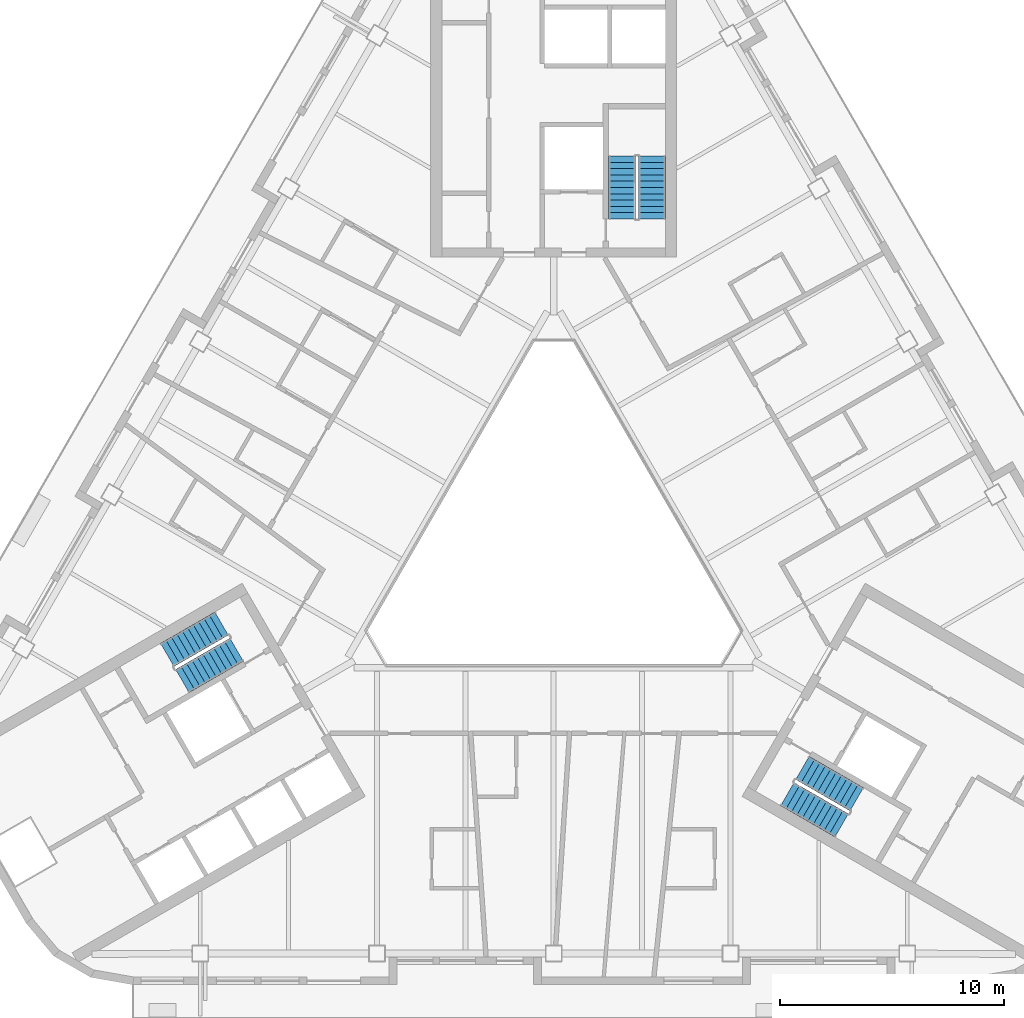
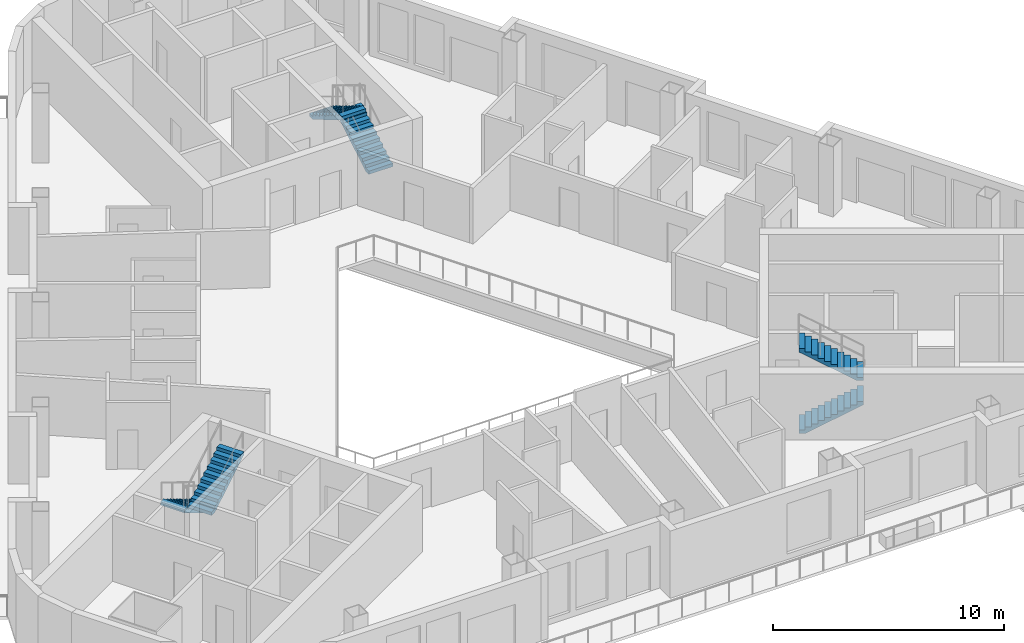
# One storey, part 8 of 14: 6 stair flights, 3 elements without a shape of their own.
"""IFC4 building model written with IfcOpenShell, lengths in metres."""

from ifc_helpers import new_model, si_unit, direction, frame, origin, place, context, subcontext, project, spatial, polyline, outline, extrude, material, type_object, element, aggregate, save


model = new_model("IFC4")

# Units and contexts
model_context = context("Model", 3, precision=1e-05, world=origin(), true_north=direction((0.0, 1.0)))
body_context = subcontext(model_context, "Body", "Model", "MODEL_VIEW")
ifc_project = project(units=[si_unit("LENGTHUNIT", "METRE"), si_unit("AREAUNIT", "SQUARE_METRE"), si_unit("VOLUMEUNIT", "CUBIC_METRE"), si_unit("PLANEANGLEUNIT", "RADIAN"), si_unit("MASSUNIT", "GRAM", prefix="KILO")], contexts=[model_context])

# Site, building, storey
site_placement = place(None, origin())
site = spatial("IfcSite", under=ifc_project, at=site_placement, CompositionType="ELEMENT")
building_placement = place(site_placement, origin())
building = spatial("IfcBuilding", under=site, at=building_placement, Name="Apuvela Tower Hotel", CompositionType="ELEMENT")
storey_placement = place(building_placement, frame((0.0, 0.0, 205.800048828125)))
storey = spatial("IfcBuildingStorey", under=building, at=storey_placement, Name="L50", CompositionType="ELEMENT", Elevation=205.800048828125)

# Stair, stair flights
ifc_material = material(Name="Concrete C50/60", Category="concrete")
stair_type = type_object("IfcStairType", Name="COR-STAIR-22R", PredefinedType="HALF_TURN_STAIR", material=ifc_material)
stair_1_placement = place(storey_placement, origin())
stair_1 = element("IfcStair", 1, at=stair_1_placement, inside=storey, type_object=stair_type, Name="L50 Exit stair ST1", PredefinedType="HALF_TURN_STAIR")
stair_flight_type = type_object("IfcStairFlightType", Name="COR-FLIGHT-11R", PredefinedType="STRAIGHT", material=ifc_material)
stair_flight_1_placement = place(storey_placement, frame((4.39990234375, 14.60009765625, 0.0), z_axis=(0.0, 0.0, 1.0), x_axis=(0.0, 1.0, 0.0)))
stair_flight_1 = element("IfcStairFlight", 2, at=stair_flight_1_placement, type_object=stair_flight_type, Name="ST1 flight 1", NumberOfRisers=11, NumberOfTreads=10, PredefinedType="STRAIGHT", RiserHeight=0.168181818, TreadLength=0.28, context=body_context, shape_type="SweptSolid", body=[
    extrude(outline(polyline([(0.0, 0.0), (0.0, 0.168212890625), (0.280029296875, 0.168212890625), (0.280029296875, 0.33642578125), (0.56005859375, 0.33642578125), (0.56005859375, 0.504638671875), (0.840087890625, 0.504638671875), (0.840087890625, 0.672607421875), (1.1201171875, 0.672607421875), (1.1201171875, 0.8408203125), (1.39990234375, 0.8408203125), (1.39990234375, 1.009033203125), (1.679931640625, 1.009033203125), (1.679931640625, 1.17724609375), (1.9599609375, 1.17724609375), (1.9599609375, 1.345458984375), (2.239990234375, 1.345458984375), (2.239990234375, 1.513671875), (2.52001953125, 1.513671875), (2.52001953125, 1.681884765625), (2.800048828125, 1.681884765625), (2.800048828125, 1.85009765625), (2.800048828125, 1.5068359375), (0.291015625, 0.0), (0.0, 0.0)])), frame((0.0, 0.60009765625, 0.0), z_axis=(0.0, -1.0, 0.0), x_axis=(1.0, 0.0, 0.0)), (0.0, 0.0, 1.0), 1.199951171875),
])
stair_flight_2_placement = place(storey_placement, frame((3.050048828125, 17.39990234375, 1.849853515625), z_axis=(0.0, 0.0, 1.0), x_axis=(0.0, -1.0, 0.0)))
stair_flight_2 = element("IfcStairFlight", 3, at=stair_flight_2_placement, type_object=stair_flight_type, Name="ST1 flight 2", NumberOfRisers=11, NumberOfTreads=10, PredefinedType="STRAIGHT", RiserHeight=0.168181818, TreadLength=0.28, context=body_context, shape_type="SweptSolid", body=[
    extrude(outline(polyline([(0.0, 0.0), (0.0, 0.168212890625), (0.280029296875, 0.168212890625), (0.280029296875, 0.33642578125), (0.56005859375, 0.33642578125), (0.56005859375, 0.504638671875), (0.840087890625, 0.504638671875), (0.840087890625, 0.672607421875), (1.1201171875, 0.672607421875), (1.1201171875, 0.8408203125), (1.39990234375, 0.8408203125), (1.39990234375, 1.009033203125), (1.679931640625, 1.009033203125), (1.679931640625, 1.17724609375), (1.9599609375, 1.17724609375), (1.9599609375, 1.345458984375), (2.239990234375, 1.345458984375), (2.239990234375, 1.513671875), (2.52001953125, 1.513671875), (2.52001953125, 1.681884765625), (2.800048828125, 1.681884765625), (2.800048828125, 1.85009765625), (2.800048828125, 1.5068359375), (0.291015625, 0.0), (0.0, 0.0)])), frame((0.0, 0.60009765625, 0.0), z_axis=(0.0, -1.0, 0.0), x_axis=(1.0, 0.0, 0.0)), (0.0, 0.0, 1.0), 1.199951171875),
])
aggregate(stair_1, [stair_flight_1, stair_flight_2])

stair_2_placement = place(storey_placement, origin())
stair_2 = element("IfcStair", 4, at=stair_2_placement, inside=storey, type_object=stair_type, Name="L50 Exit stair ST2", PredefinedType="HALF_TURN_STAIR")
stair_flight_3_placement = place(storey_placement, frame((-14.843994140625, -3.489501953125, 0.0), z_axis=(0.0, 0.0, 1.0), x_axis=(-0.866025403784, -0.5, 0.0)))
stair_flight_3 = element("IfcStairFlight", 5, at=stair_flight_3_placement, type_object=stair_flight_type, Name="ST2 flight 1", NumberOfRisers=11, NumberOfTreads=10, PredefinedType="STRAIGHT", RiserHeight=0.168181818, TreadLength=0.28, context=body_context, shape_type="SweptSolid", body=[
    extrude(outline(polyline([(0.0, 0.0), (0.0, 0.168212890625), (0.280029296875, 0.168212890625), (0.280029296875, 0.33642578125), (0.56005859375, 0.33642578125), (0.56005859375, 0.504638671875), (0.840087890625, 0.504638671875), (0.840087890625, 0.672607421875), (1.1201171875, 0.672607421875), (1.1201171875, 0.8408203125), (1.39990234375, 0.8408203125), (1.39990234375, 1.009033203125), (1.679931640625, 1.009033203125), (1.679931640625, 1.17724609375), (1.9599609375, 1.17724609375), (1.9599609375, 1.345458984375), (2.239990234375, 1.345458984375), (2.239990234375, 1.513671875), (2.52001953125, 1.513671875), (2.52001953125, 1.681884765625), (2.800048828125, 1.681884765625), (2.800048828125, 1.85009765625), (2.800048828125, 1.5068359375), (0.291015625, 0.0), (0.0, 0.0)])), frame((0.0, 0.60009765625, 0.0), z_axis=(0.0, -1.0, 0.0), x_axis=(1.0, 0.0, 0.0)), (0.0, 0.0, 1.0), 1.199951171875),
])
stair_flight_4_placement = place(storey_placement, frame((-16.59375, -6.05859375, 1.849853515625), z_axis=(0.0, 0.0, 1.0), x_axis=(0.866025403784, 0.5, 0.0)))
stair_flight_4 = element("IfcStairFlight", 6, at=stair_flight_4_placement, type_object=stair_flight_type, Name="ST2 flight 2", NumberOfRisers=11, NumberOfTreads=10, PredefinedType="STRAIGHT", RiserHeight=0.168181818, TreadLength=0.28, context=body_context, shape_type="SweptSolid", body=[
    extrude(outline(polyline([(0.0, 0.0), (0.0, 0.168212890625), (0.280029296875, 0.168212890625), (0.280029296875, 0.33642578125), (0.56005859375, 0.33642578125), (0.56005859375, 0.504638671875), (0.840087890625, 0.504638671875), (0.840087890625, 0.672607421875), (1.1201171875, 0.672607421875), (1.1201171875, 0.8408203125), (1.39990234375, 0.8408203125), (1.39990234375, 1.009033203125), (1.679931640625, 1.009033203125), (1.679931640625, 1.17724609375), (1.9599609375, 1.17724609375), (1.9599609375, 1.345458984375), (2.239990234375, 1.345458984375), (2.239990234375, 1.513671875), (2.52001953125, 1.513671875), (2.52001953125, 1.681884765625), (2.800048828125, 1.681884765625), (2.800048828125, 1.85009765625), (2.800048828125, 1.5068359375), (0.291015625, 0.0), (0.0, 0.0)])), frame((0.0, 0.60009765625, 0.0), z_axis=(0.0, -1.0, 0.0), x_axis=(1.0, 0.0, 0.0)), (0.0, 0.0, 1.0), 1.199951171875),
])
aggregate(stair_2, [stair_flight_3, stair_flight_4])

stair_3_placement = place(storey_placement, origin())
stair_3 = element("IfcStair", 7, at=stair_3_placement, inside=storey, type_object=stair_type, Name="L50 Exit stair ST3", PredefinedType="HALF_TURN_STAIR")
stair_flight_5_placement = place(storey_placement, frame((10.444091796875, -11.110595703125, 0.0), z_axis=(0.0, 0.0, 1.0), x_axis=(0.866025403784, -0.5, 0.0)))
stair_flight_5 = element("IfcStairFlight", 8, at=stair_flight_5_placement, type_object=stair_flight_type, Name="ST3 flight 1", NumberOfRisers=11, NumberOfTreads=10, PredefinedType="STRAIGHT", RiserHeight=0.168181818, TreadLength=0.28, context=body_context, shape_type="SweptSolid", body=[
    extrude(outline(polyline([(0.0, 0.0), (0.0, 0.168212890625), (0.280029296875, 0.168212890625), (0.280029296875, 0.33642578125), (0.56005859375, 0.33642578125), (0.56005859375, 0.504638671875), (0.840087890625, 0.504638671875), (0.840087890625, 0.672607421875), (1.1201171875, 0.672607421875), (1.1201171875, 0.8408203125), (1.39990234375, 0.8408203125), (1.39990234375, 1.009033203125), (1.679931640625, 1.009033203125), (1.679931640625, 1.17724609375), (1.9599609375, 1.17724609375), (1.9599609375, 1.345458984375), (2.239990234375, 1.345458984375), (2.239990234375, 1.513671875), (2.52001953125, 1.513671875), (2.52001953125, 1.681884765625), (2.800048828125, 1.681884765625), (2.800048828125, 1.85009765625), (2.800048828125, 1.5068359375), (0.291015625, 0.0), (0.0, 0.0)])), frame((0.0, 0.60009765625, 0.0), z_axis=(0.0, -1.0, 0.0), x_axis=(1.0, 0.0, 0.0)), (0.0, 0.0, 1.0), 1.199951171875),
])
stair_flight_6_placement = place(storey_placement, frame((13.5439453125, -11.34130859375, 1.849853515625), z_axis=(0.0, 0.0, 1.0), x_axis=(-0.866025403784, 0.5, 0.0)))
stair_flight_6 = element("IfcStairFlight", 9, at=stair_flight_6_placement, type_object=stair_flight_type, Name="ST3 flight 2", NumberOfRisers=11, NumberOfTreads=10, PredefinedType="STRAIGHT", RiserHeight=0.168181818, TreadLength=0.28, context=body_context, shape_type="SweptSolid", body=[
    extrude(outline(polyline([(0.0, 0.0), (0.0, 0.168212890625), (0.280029296875, 0.168212890625), (0.280029296875, 0.33642578125), (0.56005859375, 0.33642578125), (0.56005859375, 0.504638671875), (0.840087890625, 0.504638671875), (0.840087890625, 0.672607421875), (1.1201171875, 0.672607421875), (1.1201171875, 0.8408203125), (1.39990234375, 0.8408203125), (1.39990234375, 1.009033203125), (1.679931640625, 1.009033203125), (1.679931640625, 1.17724609375), (1.9599609375, 1.17724609375), (1.9599609375, 1.345458984375), (2.239990234375, 1.345458984375), (2.239990234375, 1.513671875), (2.52001953125, 1.513671875), (2.52001953125, 1.681884765625), (2.800048828125, 1.681884765625), (2.800048828125, 1.85009765625), (2.800048828125, 1.5068359375), (0.291015625, 0.0), (0.0, 0.0)])), frame((0.0, 0.60009765625, 0.0), z_axis=(0.0, -1.0, 0.0), x_axis=(1.0, 0.0, 0.0)), (0.0, 0.0, 1.0), 1.199951171875),
])
aggregate(stair_3, [stair_flight_5, stair_flight_6])

save(model, "model.ifc")
